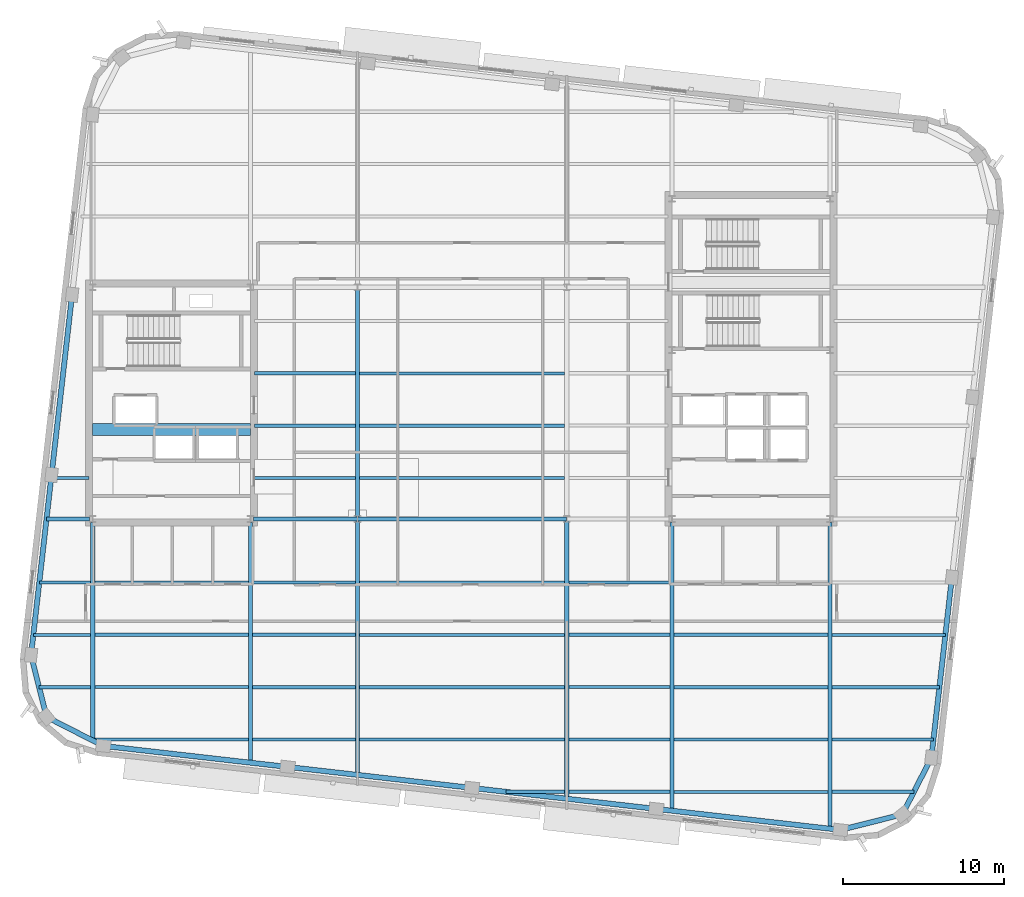
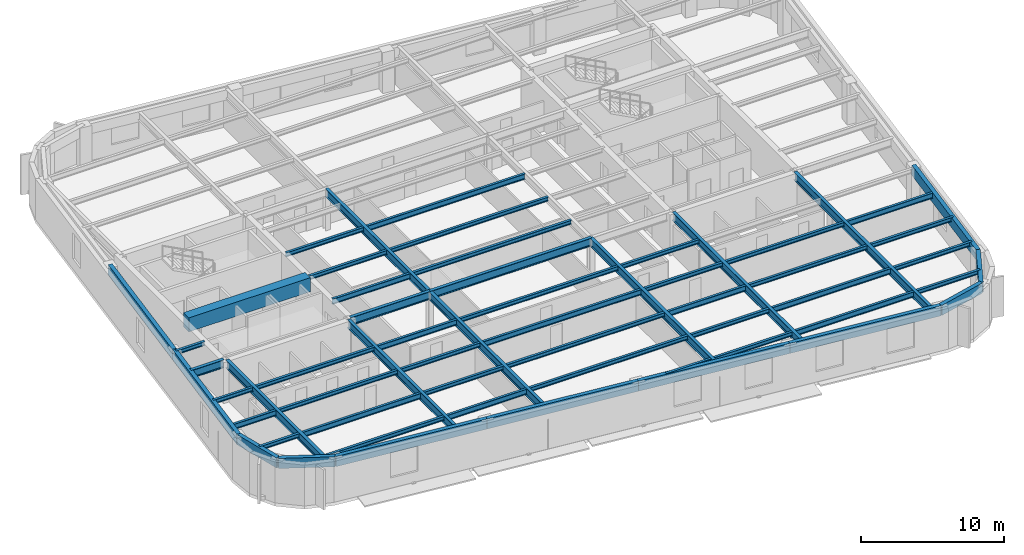
# One storey, part 3 of 14: 58 beams.
"""IFC4 building model written with IfcOpenShell, lengths in metres."""

from ifc_helpers import new_model, si_unit, direction, frame, origin, origin_2d, place, context, subcontext, project, spatial, rectangle, hollow_rectangle, i_section, extrude, material, material_profile, profile_set, type_object, element, save


model = new_model("IFC4")

# Units and contexts
model_context = context("Model", 3, precision=1e-05, world=origin(), true_north=direction((0.0, 1.0)))
body_context = subcontext(model_context, "Body", "Model", "MODEL_VIEW")
ifc_project = project(units=[si_unit("LENGTHUNIT", "METRE"), si_unit("AREAUNIT", "SQUARE_METRE"), si_unit("VOLUMEUNIT", "CUBIC_METRE"), si_unit("PLANEANGLEUNIT", "RADIAN"), si_unit("MASSUNIT", "GRAM", prefix="KILO")], contexts=[model_context])

# Site, building, storey
site_placement = place(None, origin())
site = spatial("IfcSite", under=ifc_project, at=site_placement, CompositionType="ELEMENT")
building_placement = place(site_placement, origin())
building = spatial("IfcBuilding", under=site, at=building_placement, Name="Kolvaren Arena Tower", CompositionType="ELEMENT")
storey_placement = place(building_placement, frame((0.0, 0.0, 247.199951171875)))
storey = spatial("IfcBuildingStorey", under=building, at=storey_placement, Name="L60", CompositionType="ELEMENT", Elevation=247.199951171875)

# Beams
ifc_material_1 = material(Name="Steel CSA G40.21 350W", Category="steel")
ifc_material_profile_1 = material_profile(ifc_material_1, i_section(OverallWidth=0.193115234375, OverallDepth=0.462890625, WebThickness=0.0107421875, FlangeThickness=0.0205078125, FilletRadius=0.012939453125, at=origin_2d()), Name="W460x113")
ifc_profile_set_1 = profile_set([ifc_material_profile_1], Name="Steel CSA G40.21 350W")
beam_type_1 = type_object("IfcBeamType", Name="BEAM-F2", PredefinedType="BEAM", material=ifc_profile_set_1)
beam_1_placement = place(storey_placement, frame((50.677490234375, 2.5, 3.24853515625), z_axis=(1.0, 0.0, 0.0), x_axis=(0.0, 1.0, 0.0)))
element("IfcBeam", 1, at=beam_1_placement, inside=storey, type_object=beam_type_1, Name="Composite Floor Beam (L60)", PredefinedType="BEAM", context=body_context, shape_type="SweptSolid", body=[
    extrude(i_section(OverallWidth=0.193115234375, OverallDepth=0.462890625, WebThickness=0.0107421875, FlangeThickness=0.0205078125, FilletRadius=0.012939453125, at=origin_2d()), origin(), (0.0, 0.0, 1.0), 9.544921875),
])
beam_2_placement = place(storey_placement, frame((24.4775390625, 5.75, 3.24853515625), z_axis=(1.0, 0.0, 0.0), x_axis=(0.0, 1.0, 0.0)))
element("IfcBeam", 2, at=beam_2_placement, inside=storey, type_object=beam_type_1, Name="Composite Floor Beam (L60)", PredefinedType="BEAM", context=body_context, shape_type="SweptSolid", body=[
    extrude(i_section(OverallWidth=0.193115234375, OverallDepth=0.462890625, WebThickness=0.0107421875, FlangeThickness=0.0205078125, FilletRadius=0.012939453125, at=origin_2d()), origin(), (0.0, 0.0, 1.0), 6.39501953125),
])
for number, where, z_axis, x_axis, name in (
    (3, (50.677490234375, 5.75, 3.24853515625), (1.0, 0.0, 0.0), (0.0, 1.0, 0.0), "Composite Floor Beam (L60)"),
    (4, (14.677490234375, 9.0, 3.24853515625), (1.0, 0.0, 0.0), (0.0, 1.0, 0.0), "Composite Floor Beam (L60)"),
):
    element("IfcBeam", number, at=place(storey_placement, frame(where, z_axis=z_axis, x_axis=x_axis)), inside=storey, type_object=beam_type_1, Name=name, PredefinedType="BEAM", context=body_context, shape_type="SweptSolid", body=[
        extrude(i_section(OverallWidth=0.193115234375, OverallDepth=0.462890625, WebThickness=0.0107421875, FlangeThickness=0.0205078125, FilletRadius=0.012939453125, at=origin_2d()), origin(), (0.0, 0.0, 1.0), 9.544921875),
    ])
beam_3_placement = place(storey_placement, frame((44.12744140625, 9.0, 3.24853515625), z_axis=(1.0, 0.0, 0.0), x_axis=(0.0, 1.0, 0.0)))
element("IfcBeam", 5, at=beam_3_placement, inside=storey, type_object=beam_type_1, Name="Composite Floor Beam (L60)", PredefinedType="BEAM", context=body_context, shape_type="SweptSolid", body=[
    extrude(i_section(OverallWidth=0.193115234375, OverallDepth=0.462890625, WebThickness=0.0107421875, FlangeThickness=0.0205078125, FilletRadius=0.012939453125, at=origin_2d()), origin(), (0.0, 0.0, 1.0), 6.295166015625),
])
beam_4_placement = place(storey_placement, frame((10.86083984375, 12.25, 3.24853515625), z_axis=(1.0, 0.0, 0.0), x_axis=(0.0, 1.0, 0.0)))
element("IfcBeam", 6, at=beam_4_placement, inside=storey, type_object=beam_type_1, Name="Composite Floor Beam (L60)", PredefinedType="BEAM", context=body_context, shape_type="SweptSolid", body=[
    extrude(i_section(OverallWidth=0.193115234375, OverallDepth=0.462890625, WebThickness=0.0107421875, FlangeThickness=0.0205078125, FilletRadius=0.012939453125, at=origin_2d()), origin(), (0.0, 0.0, 1.0), 3.561767578125),
])
beam_5_placement = place(storey_placement, frame((31.12744140625, 12.25, 3.24853515625), z_axis=(1.0, 0.0, 0.0), x_axis=(0.0, 1.0, 0.0)))
element("IfcBeam", 7, at=beam_5_placement, inside=storey, type_object=beam_type_1, Name="Composite Floor Beam (L60)", PredefinedType="BEAM", context=body_context, shape_type="SweptSolid", body=[
    extrude(i_section(OverallWidth=0.193115234375, OverallDepth=0.462890625, WebThickness=0.0107421875, FlangeThickness=0.0205078125, FilletRadius=0.012939453125, at=origin_2d()), origin(), (0.0, 0.0, 1.0), 12.7451171875),
])
beam_6_placement = place(storey_placement, frame((60.4775390625, 12.25, 3.24853515625), z_axis=(1.0, 0.0, 0.0), x_axis=(0.0, 1.0, 0.0)))
element("IfcBeam", 8, at=beam_6_placement, inside=storey, type_object=beam_type_1, Name="Composite Floor Beam (L60)", PredefinedType="BEAM", context=body_context, shape_type="SweptSolid", body=[
    extrude(i_section(OverallWidth=0.193115234375, OverallDepth=0.462890625, WebThickness=0.0107421875, FlangeThickness=0.0205078125, FilletRadius=0.012939453125, at=origin_2d()), origin(), (0.0, 0.0, 1.0), 7.04736328125),
])
beam_7_placement = place(storey_placement, frame((24.4775390625, 15.5, 3.24853515625), z_axis=(1.0, 0.0, 0.0), x_axis=(0.0, 1.0, 0.0)))
element("IfcBeam", 9, at=beam_7_placement, inside=storey, type_object=beam_type_1, Name="Composite Floor Beam (L60)", PredefinedType="BEAM", context=body_context, shape_type="SweptSolid", body=[
    extrude(i_section(OverallWidth=0.193115234375, OverallDepth=0.462890625, WebThickness=0.0107421875, FlangeThickness=0.0205078125, FilletRadius=0.012939453125, at=origin_2d()), origin(), (0.0, 0.0, 1.0), 6.39501953125),
])
beam_8_placement = place(storey_placement, frame((24.594970703125, 22.0, 3.24853515625), z_axis=(1.0, 0.0, 0.0), x_axis=(0.0, 1.0, 0.0)))
element("IfcBeam", 10, at=beam_8_placement, inside=storey, type_object=beam_type_1, Name="Composite Floor Beam (L60)", PredefinedType="BEAM", context=body_context, shape_type="SweptSolid", body=[
    extrude(i_section(OverallWidth=0.193115234375, OverallDepth=0.462890625, WebThickness=0.0107421875, FlangeThickness=0.0205078125, FilletRadius=0.012939453125, at=origin_2d()), origin(), (0.0, 0.0, 1.0), 6.277587890625),
])
beam_9_placement = place(storey_placement, frame((31.12744140625, 28.5, 3.24853515625), z_axis=(1.0, 0.0, 0.0), x_axis=(0.0, 1.0, 0.0)))
element("IfcBeam", 11, at=beam_9_placement, inside=storey, type_object=beam_type_1, Name="Composite Floor Beam (L60)", PredefinedType="BEAM", context=body_context, shape_type="SweptSolid", body=[
    extrude(i_section(OverallWidth=0.193115234375, OverallDepth=0.462890625, WebThickness=0.0107421875, FlangeThickness=0.0205078125, FilletRadius=0.012939453125, at=origin_2d()), origin(), (0.0, 0.0, 1.0), 12.7451171875),
])
ifc_material_2 = material(Name="Concrete 60 MPa", Category="concrete")
ifc_material_profile_2 = material_profile(ifc_material_2, rectangle(XDim=0.75, YDim=1.199951171875, at=origin_2d()), Name="RC-750x1200")
ifc_profile_set_2 = profile_set([ifc_material_profile_2], Name="Concrete 60 MPa")
beam_type_2 = type_object("IfcBeamType", Name="CB-CORE-2", PredefinedType="BEAM", material=ifc_profile_set_2)
beam_10_placement = place(storey_placement, frame((14.550048828125, 25.0, 3.150146484375), z_axis=(1.0, 0.0, 0.0), x_axis=(0.0, 1.0, 0.0)))
element("IfcBeam", 12, at=beam_10_placement, inside=storey, type_object=beam_type_2, Name="West Core Coupling Beam (L60)", PredefinedType="BEAM", context=body_context, shape_type="SweptSolid", body=[
    extrude(rectangle(XDim=0.75, YDim=1.199951171875, at=origin_2d()), origin(), (0.0, 0.0, 1.0), 9.800048828125),
])
ifc_material_profile_3 = material_profile(ifc_material_1, i_section(OverallWidth=0.2548828125, OverallDepth=0.695068359375, WebThickness=0.01708984375, FlangeThickness=0.02978515625, FilletRadius=0.01611328125, at=origin_2d()), Name="W690x217")
ifc_profile_set_3 = profile_set([ifc_material_profile_3], Name="Steel CSA G40.21 350W")
beam_type_3 = type_object("IfcBeamType", Name="GIRD-T2", PredefinedType="BEAM", material=ifc_profile_set_3)
beam_11_placement = place(storey_placement, frame((11.68115234375, 19.449951171875, 3.132568359375), z_axis=(1.0, 0.0, 0.0), x_axis=(0.0, 1.0, 0.0)))
element("IfcBeam", 13, at=beam_11_placement, inside=storey, type_object=beam_type_3, Name="Primary Floor Girder (L60)", PredefinedType="BEAM", context=body_context, shape_type="SweptSolid", body=[
    extrude(i_section(OverallWidth=0.2548828125, OverallDepth=0.695068359375, WebThickness=0.01708984375, FlangeThickness=0.02978515625, FilletRadius=0.01611328125, at=origin_2d()), origin(), (0.0, 0.0, 1.0), 2.663818359375),
])
beam_12_placement = place(storey_placement, frame((24.554931640625, 19.449951171875, 3.132568359375), z_axis=(1.0, 0.0, 0.0), x_axis=(0.0, 1.0, 0.0)))
element("IfcBeam", 14, at=beam_12_placement, inside=storey, type_object=beam_type_3, Name="Primary Floor Girder (L60)", PredefinedType="BEAM", context=body_context, shape_type="SweptSolid", body=[
    extrude(i_section(OverallWidth=0.2548828125, OverallDepth=0.695068359375, WebThickness=0.01708984375, FlangeThickness=0.02978515625, FilletRadius=0.01611328125, at=origin_2d()), origin(), (0.0, 0.0, 1.0), 6.445068359375),
])
beam_13_placement = place(storey_placement, frame((31.0, 19.449951171875, 3.132568359375), z_axis=(1.0, 0.0, 0.0), x_axis=(0.0, 1.0, 0.0)))
element("IfcBeam", 15, at=beam_13_placement, inside=storey, type_object=beam_type_3, Name="Primary Floor Girder (L60)", PredefinedType="BEAM", context=body_context, shape_type="SweptSolid", body=[
    extrude(i_section(OverallWidth=0.2548828125, OverallDepth=0.695068359375, WebThickness=0.01708984375, FlangeThickness=0.02978515625, FilletRadius=0.01611328125, at=origin_2d()), origin(), (0.0, 0.0, 1.0), 13.0),
])
beam_14_placement = place(storey_placement, frame((14.550048828125, 5.686767578125, 3.132568359375), z_axis=(0.0, 1.0, 0.0), x_axis=(-1.0, 0.0, 0.0)))
element("IfcBeam", 16, at=beam_14_placement, inside=storey, type_object=beam_type_3, Name="Primary Floor Girder (L60)", PredefinedType="BEAM", context=body_context, shape_type="SweptSolid", body=[
    extrude(i_section(OverallWidth=0.2548828125, OverallDepth=0.695068359375, WebThickness=0.01708984375, FlangeThickness=0.02978515625, FilletRadius=0.01611328125, at=origin_2d()), origin(), (0.0, 0.0, 1.0), 13.558349609375),
])
beam_15_placement = place(storey_placement, frame((24.35009765625, 4.30908203125, 3.132568359375), z_axis=(0.0, 1.0, 0.0), x_axis=(-1.0, 0.0, 0.0)))
element("IfcBeam", 17, at=beam_15_placement, inside=storey, type_object=beam_type_3, Name="Primary Floor Girder (L60)", PredefinedType="BEAM", context=body_context, shape_type="SweptSolid", body=[
    extrude(i_section(OverallWidth=0.2548828125, OverallDepth=0.695068359375, WebThickness=0.01708984375, FlangeThickness=0.02978515625, FilletRadius=0.01611328125, at=origin_2d()), origin(), (0.0, 0.0, 1.0), 14.93603515625),
])
beam_16_placement = place(storey_placement, frame((31.0, 3.551513671875, 3.132568359375), z_axis=(0.0, 1.0, 0.0), x_axis=(-1.0, 0.0, 0.0)))
element("IfcBeam", 18, at=beam_16_placement, inside=storey, type_object=beam_type_3, Name="Primary Floor Girder (L60)", PredefinedType="BEAM", context=body_context, shape_type="SweptSolid", body=[
    extrude(i_section(OverallWidth=0.2548828125, OverallDepth=0.695068359375, WebThickness=0.01708984375, FlangeThickness=0.02978515625, FilletRadius=0.01611328125, at=origin_2d()), origin(), (0.0, 0.0, 1.0), 15.8984375),
])
beam_17_placement = place(storey_placement, frame((31.0, 19.449951171875, 3.132568359375), z_axis=(0.0, 1.0, 0.0), x_axis=(-1.0, 0.0, 0.0)))
element("IfcBeam", 19, at=beam_17_placement, inside=storey, type_object=beam_type_3, Name="Primary Floor Girder (L60)", PredefinedType="BEAM", context=body_context, shape_type="SweptSolid", body=[
    extrude(i_section(OverallWidth=0.2548828125, OverallDepth=0.695068359375, WebThickness=0.01708984375, FlangeThickness=0.02978515625, FilletRadius=0.01611328125, at=origin_2d()), origin(), (0.0, 0.0, 1.0), 14.400146484375),
])
beam_18_placement = place(storey_placement, frame((44.0, 2.0703125, 3.132568359375), z_axis=(0.0, 1.0, 0.0), x_axis=(-1.0, 0.0, 0.0)))
element("IfcBeam", 20, at=beam_18_placement, inside=storey, type_object=beam_type_3, Name="Primary Floor Girder (L60)", PredefinedType="BEAM", context=body_context, shape_type="SweptSolid", body=[
    extrude(i_section(OverallWidth=0.2548828125, OverallDepth=0.695068359375, WebThickness=0.01708984375, FlangeThickness=0.02978515625, FilletRadius=0.01611328125, at=origin_2d()), origin(), (0.0, 0.0, 1.0), 17.379638671875),
])
beam_19_placement = place(storey_placement, frame((50.550048828125, 1.323974609375, 3.132568359375), z_axis=(0.0, 1.0, 0.0), x_axis=(-1.0, 0.0, 0.0)))
element("IfcBeam", 21, at=beam_19_placement, inside=storey, type_object=beam_type_3, Name="Primary Floor Girder (L60)", PredefinedType="BEAM", context=body_context, shape_type="SweptSolid", body=[
    extrude(i_section(OverallWidth=0.2548828125, OverallDepth=0.695068359375, WebThickness=0.01708984375, FlangeThickness=0.02978515625, FilletRadius=0.01611328125, at=origin_2d()), origin(), (0.0, 0.0, 1.0), 17.921142578125),
])
beam_20_placement = place(storey_placement, frame((60.35009765625, 0.20751953125, 3.132568359375), z_axis=(0.0, 1.0, 0.0), x_axis=(-1.0, 0.0, 0.0)))
element("IfcBeam", 22, at=beam_20_placement, inside=storey, type_object=beam_type_3, Name="Primary Floor Girder (L60)", PredefinedType="BEAM", context=body_context, shape_type="SweptSolid", body=[
    extrude(i_section(OverallWidth=0.2548828125, OverallDepth=0.695068359375, WebThickness=0.01708984375, FlangeThickness=0.02978515625, FilletRadius=0.01611328125, at=origin_2d()), origin(), (0.0, 0.0, 1.0), 19.03759765625),
])
ifc_material_profile_4 = material_profile(ifc_material_1, i_section(OverallWidth=0.202880859375, OverallDepth=0.346923828125, WebThickness=0.0078125, FlangeThickness=0.013427734375, FilletRadius=0.010986328125, at=origin_2d()), Name="W360x64")
ifc_profile_set_4 = profile_set([ifc_material_profile_4], Name="Steel CSA G40.21 350W")
beam_type_4 = type_object("IfcBeamType", Name="JOIST-01", PredefinedType="JOIST", material=ifc_profile_set_4)
beam_21_placement = place(storey_placement, frame((40.228271484375, 2.5, 3.306640625), z_axis=(1.0, 0.0, 0.0), x_axis=(0.0, 1.0, 0.0)))
element("IfcBeam", 23, at=beam_21_placement, inside=storey, type_object=beam_type_4, Name="Composite Floor Joist (L60)", PredefinedType="JOIST", context=body_context, shape_type="SweptSolid", body=[
    extrude(i_section(OverallWidth=0.202880859375, OverallDepth=0.346923828125, WebThickness=0.0078125, FlangeThickness=0.013427734375, FilletRadius=0.010986328125, at=origin_2d()), origin(), (0.0, 0.0, 1.0), 3.644287109375),
])
beam_22_placement = place(storey_placement, frame((44.12744140625, 2.5, 3.306640625), z_axis=(1.0, 0.0, 0.0), x_axis=(0.0, 1.0, 0.0)))
element("IfcBeam", 24, at=beam_22_placement, inside=storey, type_object=beam_type_4, Name="Composite Floor Joist (L60)", PredefinedType="JOIST", context=body_context, shape_type="SweptSolid", body=[
    extrude(i_section(OverallWidth=0.202880859375, OverallDepth=0.346923828125, WebThickness=0.0078125, FlangeThickness=0.013427734375, FilletRadius=0.010986328125, at=origin_2d()), origin(), (0.0, 0.0, 1.0), 6.295166015625),
])
beam_23_placement = place(storey_placement, frame((60.4775390625, 2.5, 3.306640625), z_axis=(1.0, 0.0, 0.0), x_axis=(0.0, 1.0, 0.0)))
element("IfcBeam", 25, at=beam_23_placement, inside=storey, type_object=beam_type_4, Name="Composite Floor Joist (L60)", PredefinedType="JOIST", context=body_context, shape_type="SweptSolid", body=[
    extrude(i_section(OverallWidth=0.202880859375, OverallDepth=0.346923828125, WebThickness=0.0078125, FlangeThickness=0.013427734375, FilletRadius=0.010986328125, at=origin_2d()), origin(), (0.0, 0.0, 1.0), 5.09423828125),
])
beam_24_placement = place(storey_placement, frame((14.42626953125, 5.75, 3.306640625), z_axis=(1.0, 0.0, 0.0), x_axis=(0.0, 1.0, 0.0)))
element("IfcBeam", 26, at=beam_24_placement, inside=storey, type_object=beam_type_4, Name="Composite Floor Joist (L60)", PredefinedType="JOIST", context=body_context, shape_type="SweptSolid", body=[
    extrude(i_section(OverallWidth=0.202880859375, OverallDepth=0.346923828125, WebThickness=0.0078125, FlangeThickness=0.013427734375, FilletRadius=0.010986328125, at=origin_2d()), origin(), (0.0, 0.0, 1.0), 9.796142578125),
])
beam_25_placement = place(storey_placement, frame((31.12744140625, 5.75, 3.306640625), z_axis=(1.0, 0.0, 0.0), x_axis=(0.0, 1.0, 0.0)))
element("IfcBeam", 27, at=beam_25_placement, inside=storey, type_object=beam_type_4, Name="Composite Floor Joist (L60)", PredefinedType="JOIST", context=body_context, shape_type="SweptSolid", body=[
    extrude(i_section(OverallWidth=0.202880859375, OverallDepth=0.346923828125, WebThickness=0.0078125, FlangeThickness=0.013427734375, FilletRadius=0.010986328125, at=origin_2d()), origin(), (0.0, 0.0, 1.0), 12.7451171875),
])
beam_26_placement = place(storey_placement, frame((44.12744140625, 5.75, 3.306640625), z_axis=(1.0, 0.0, 0.0), x_axis=(0.0, 1.0, 0.0)))
element("IfcBeam", 28, at=beam_26_placement, inside=storey, type_object=beam_type_4, Name="Composite Floor Joist (L60)", PredefinedType="JOIST", context=body_context, shape_type="SweptSolid", body=[
    extrude(i_section(OverallWidth=0.202880859375, OverallDepth=0.346923828125, WebThickness=0.0078125, FlangeThickness=0.013427734375, FilletRadius=0.010986328125, at=origin_2d()), origin(), (0.0, 0.0, 1.0), 6.295166015625),
])
beam_27_placement = place(storey_placement, frame((60.4775390625, 5.75, 3.306640625), z_axis=(1.0, 0.0, 0.0), x_axis=(0.0, 1.0, 0.0)))
element("IfcBeam", 29, at=beam_27_placement, inside=storey, type_object=beam_type_4, Name="Composite Floor Joist (L60)", PredefinedType="JOIST", context=body_context, shape_type="SweptSolid", body=[
    extrude(i_section(OverallWidth=0.202880859375, OverallDepth=0.346923828125, WebThickness=0.0078125, FlangeThickness=0.013427734375, FilletRadius=0.010986328125, at=origin_2d()), origin(), (0.0, 0.0, 1.0), 6.306884765625),
])
beam_28_placement = place(storey_placement, frame((11.217529296875, 9.0, 3.306640625), z_axis=(1.0, 0.0, 0.0), x_axis=(0.0, 1.0, 0.0)))
element("IfcBeam", 30, at=beam_28_placement, inside=storey, type_object=beam_type_4, Name="Composite Floor Joist (L60)", PredefinedType="JOIST", context=body_context, shape_type="SweptSolid", body=[
    extrude(i_section(OverallWidth=0.202880859375, OverallDepth=0.346923828125, WebThickness=0.0078125, FlangeThickness=0.013427734375, FilletRadius=0.010986328125, at=origin_2d()), origin(), (0.0, 0.0, 1.0), 3.205078125),
])
beam_29_placement = place(storey_placement, frame((24.4775390625, 9.0, 3.306640625), z_axis=(1.0, 0.0, 0.0), x_axis=(0.0, 1.0, 0.0)))
element("IfcBeam", 31, at=beam_29_placement, inside=storey, type_object=beam_type_4, Name="Composite Floor Joist (L60)", PredefinedType="JOIST", context=body_context, shape_type="SweptSolid", body=[
    extrude(i_section(OverallWidth=0.202880859375, OverallDepth=0.346923828125, WebThickness=0.0078125, FlangeThickness=0.013427734375, FilletRadius=0.010986328125, at=origin_2d()), origin(), (0.0, 0.0, 1.0), 6.39501953125),
])
beam_30_placement = place(storey_placement, frame((31.12744140625, 9.0, 3.306640625), z_axis=(1.0, 0.0, 0.0), x_axis=(0.0, 1.0, 0.0)))
element("IfcBeam", 32, at=beam_30_placement, inside=storey, type_object=beam_type_4, Name="Composite Floor Joist (L60)", PredefinedType="JOIST", context=body_context, shape_type="SweptSolid", body=[
    extrude(i_section(OverallWidth=0.202880859375, OverallDepth=0.346923828125, WebThickness=0.0078125, FlangeThickness=0.013427734375, FilletRadius=0.010986328125, at=origin_2d()), origin(), (0.0, 0.0, 1.0), 12.7451171875),
])
beam_31_placement = place(storey_placement, frame((50.677490234375, 9.0, 3.306640625), z_axis=(1.0, 0.0, 0.0), x_axis=(0.0, 1.0, 0.0)))
element("IfcBeam", 33, at=beam_31_placement, inside=storey, type_object=beam_type_4, Name="Composite Floor Joist (L60)", PredefinedType="JOIST", context=body_context, shape_type="SweptSolid", body=[
    extrude(i_section(OverallWidth=0.202880859375, OverallDepth=0.346923828125, WebThickness=0.0078125, FlangeThickness=0.013427734375, FilletRadius=0.010986328125, at=origin_2d()), origin(), (0.0, 0.0, 1.0), 9.544921875),
])
beam_32_placement = place(storey_placement, frame((60.4775390625, 9.0, 3.306640625), z_axis=(1.0, 0.0, 0.0), x_axis=(0.0, 1.0, 0.0)))
element("IfcBeam", 34, at=beam_32_placement, inside=storey, type_object=beam_type_4, Name="Composite Floor Joist (L60)", PredefinedType="JOIST", context=body_context, shape_type="SweptSolid", body=[
    extrude(i_section(OverallWidth=0.202880859375, OverallDepth=0.346923828125, WebThickness=0.0078125, FlangeThickness=0.013427734375, FilletRadius=0.010986328125, at=origin_2d()), origin(), (0.0, 0.0, 1.0), 6.67724609375),
])
beam_33_placement = place(storey_placement, frame((14.677490234375, 12.25, 3.306640625), z_axis=(1.0, 0.0, 0.0), x_axis=(0.0, 1.0, 0.0)))
element("IfcBeam", 35, at=beam_33_placement, inside=storey, type_object=beam_type_4, Name="Composite Floor Joist (L60)", PredefinedType="JOIST", context=body_context, shape_type="SweptSolid", body=[
    extrude(i_section(OverallWidth=0.202880859375, OverallDepth=0.346923828125, WebThickness=0.0078125, FlangeThickness=0.013427734375, FilletRadius=0.010986328125, at=origin_2d()), origin(), (0.0, 0.0, 1.0), 9.544921875),
])
beam_34_placement = place(storey_placement, frame((24.4775390625, 12.25, 3.306640625), z_axis=(1.0, 0.0, 0.0), x_axis=(0.0, 1.0, 0.0)))
element("IfcBeam", 36, at=beam_34_placement, inside=storey, type_object=beam_type_4, Name="Composite Floor Joist (L60)", PredefinedType="JOIST", context=body_context, shape_type="SweptSolid", body=[
    extrude(i_section(OverallWidth=0.202880859375, OverallDepth=0.346923828125, WebThickness=0.0078125, FlangeThickness=0.013427734375, FilletRadius=0.010986328125, at=origin_2d()), origin(), (0.0, 0.0, 1.0), 6.39501953125),
])
beam_35_placement = place(storey_placement, frame((44.12744140625, 12.25, 3.306640625), z_axis=(1.0, 0.0, 0.0), x_axis=(0.0, 1.0, 0.0)))
element("IfcBeam", 37, at=beam_35_placement, inside=storey, type_object=beam_type_4, Name="Composite Floor Joist (L60)", PredefinedType="JOIST", context=body_context, shape_type="SweptSolid", body=[
    extrude(i_section(OverallWidth=0.202880859375, OverallDepth=0.346923828125, WebThickness=0.0078125, FlangeThickness=0.013427734375, FilletRadius=0.010986328125, at=origin_2d()), origin(), (0.0, 0.0, 1.0), 6.295166015625),
])
beam_36_placement = place(storey_placement, frame((50.677490234375, 12.25, 3.306640625), z_axis=(1.0, 0.0, 0.0), x_axis=(0.0, 1.0, 0.0)))
element("IfcBeam", 38, at=beam_36_placement, inside=storey, type_object=beam_type_4, Name="Composite Floor Joist (L60)", PredefinedType="JOIST", context=body_context, shape_type="SweptSolid", body=[
    extrude(i_section(OverallWidth=0.202880859375, OverallDepth=0.346923828125, WebThickness=0.0078125, FlangeThickness=0.013427734375, FilletRadius=0.010986328125, at=origin_2d()), origin(), (0.0, 0.0, 1.0), 9.544921875),
])
beam_37_placement = place(storey_placement, frame((11.23095703125, 15.5, 3.306640625), z_axis=(1.0, 0.0, 0.0), x_axis=(0.0, 1.0, 0.0)))
element("IfcBeam", 39, at=beam_37_placement, inside=storey, type_object=beam_type_4, Name="Composite Floor Joist (L60)", PredefinedType="JOIST", context=body_context, shape_type="SweptSolid", body=[
    extrude(i_section(OverallWidth=0.202880859375, OverallDepth=0.346923828125, WebThickness=0.0078125, FlangeThickness=0.013427734375, FilletRadius=0.010986328125, at=origin_2d()), origin(), (0.0, 0.0, 1.0), 3.191650390625),
])
beam_38_placement = place(storey_placement, frame((14.677490234375, 15.5, 3.306640625), z_axis=(1.0, 0.0, 0.0), x_axis=(0.0, 1.0, 0.0)))
element("IfcBeam", 40, at=beam_38_placement, inside=storey, type_object=beam_type_4, Name="Composite Floor Joist (L60)", PredefinedType="JOIST", context=body_context, shape_type="SweptSolid", body=[
    extrude(i_section(OverallWidth=0.202880859375, OverallDepth=0.346923828125, WebThickness=0.0078125, FlangeThickness=0.013427734375, FilletRadius=0.010986328125, at=origin_2d()), origin(), (0.0, 0.0, 1.0), 9.544921875),
])
beam_39_placement = place(storey_placement, frame((31.12744140625, 15.5, 3.306640625), z_axis=(1.0, 0.0, 0.0), x_axis=(0.0, 1.0, 0.0)))
element("IfcBeam", 41, at=beam_39_placement, inside=storey, type_object=beam_type_4, Name="Composite Floor Joist (L60)", PredefinedType="JOIST", context=body_context, shape_type="SweptSolid", body=[
    extrude(i_section(OverallWidth=0.202880859375, OverallDepth=0.346923828125, WebThickness=0.0078125, FlangeThickness=0.013427734375, FilletRadius=0.010986328125, at=origin_2d()), origin(), (0.0, 0.0, 1.0), 12.7451171875),
])
beam_40_placement = place(storey_placement, frame((44.12744140625, 15.5, 3.306640625), z_axis=(1.0, 0.0, 0.0), x_axis=(0.0, 1.0, 0.0)))
element("IfcBeam", 42, at=beam_40_placement, inside=storey, type_object=beam_type_4, Name="Composite Floor Joist (L60)", PredefinedType="JOIST", context=body_context, shape_type="SweptSolid", body=[
    extrude(i_section(OverallWidth=0.202880859375, OverallDepth=0.346923828125, WebThickness=0.0078125, FlangeThickness=0.013427734375, FilletRadius=0.010986328125, at=origin_2d()), origin(), (0.0, 0.0, 1.0), 6.295166015625),
])
beam_41_placement = place(storey_placement, frame((11.9716796875, 22.0, 3.306640625), z_axis=(1.0, 0.0, 0.0), x_axis=(0.0, 1.0, 0.0)))
element("IfcBeam", 43, at=beam_41_placement, inside=storey, type_object=beam_type_4, Name="Composite Floor Joist (L60)", PredefinedType="JOIST", context=body_context, shape_type="SweptSolid", body=[
    extrude(i_section(OverallWidth=0.202880859375, OverallDepth=0.346923828125, WebThickness=0.0078125, FlangeThickness=0.013427734375, FilletRadius=0.010986328125, at=origin_2d()), origin(), (0.0, 0.0, 1.0), 2.333251953125),
])
beam_42_placement = place(storey_placement, frame((31.12744140625, 22.0, 3.306640625), z_axis=(1.0, 0.0, 0.0), x_axis=(0.0, 1.0, 0.0)))
element("IfcBeam", 44, at=beam_42_placement, inside=storey, type_object=beam_type_4, Name="Composite Floor Joist (L60)", PredefinedType="JOIST", context=body_context, shape_type="SweptSolid", body=[
    extrude(i_section(OverallWidth=0.202880859375, OverallDepth=0.346923828125, WebThickness=0.0078125, FlangeThickness=0.013427734375, FilletRadius=0.010986328125, at=origin_2d()), origin(), (0.0, 0.0, 1.0), 12.7451171875),
])
beam_43_placement = place(storey_placement, frame((24.594970703125, 25.25, 3.306640625), z_axis=(1.0, 0.0, 0.0), x_axis=(0.0, 1.0, 0.0)))
element("IfcBeam", 45, at=beam_43_placement, inside=storey, type_object=beam_type_4, Name="Composite Floor Joist (L60)", PredefinedType="JOIST", context=body_context, shape_type="SweptSolid", body=[
    extrude(i_section(OverallWidth=0.202880859375, OverallDepth=0.346923828125, WebThickness=0.0078125, FlangeThickness=0.013427734375, FilletRadius=0.010986328125, at=origin_2d()), origin(), (0.0, 0.0, 1.0), 6.277587890625),
])
beam_44_placement = place(storey_placement, frame((31.12744140625, 25.25, 3.306640625), z_axis=(1.0, 0.0, 0.0), x_axis=(0.0, 1.0, 0.0)))
element("IfcBeam", 46, at=beam_44_placement, inside=storey, type_object=beam_type_4, Name="Composite Floor Joist (L60)", PredefinedType="JOIST", context=body_context, shape_type="SweptSolid", body=[
    extrude(i_section(OverallWidth=0.202880859375, OverallDepth=0.346923828125, WebThickness=0.0078125, FlangeThickness=0.013427734375, FilletRadius=0.010986328125, at=origin_2d()), origin(), (0.0, 0.0, 1.0), 12.7451171875),
])
beam_45_placement = place(storey_placement, frame((24.594970703125, 28.5, 3.306640625), z_axis=(1.0, 0.0, 0.0), x_axis=(0.0, 1.0, 0.0)))
element("IfcBeam", 47, at=beam_45_placement, inside=storey, type_object=beam_type_4, Name="Composite Floor Joist (L60)", PredefinedType="JOIST", context=body_context, shape_type="SweptSolid", body=[
    extrude(i_section(OverallWidth=0.202880859375, OverallDepth=0.346923828125, WebThickness=0.0078125, FlangeThickness=0.013427734375, FilletRadius=0.010986328125, at=origin_2d()), origin(), (0.0, 0.0, 1.0), 6.277587890625),
])
ifc_material_3 = material(Name="Steel CSA G40.21 350WT", Category="steel")
ifc_material_profile_5 = material_profile(ifc_material_3, hollow_rectangle(XDim=0.320068359375, YDim=0.860107421875, WallThickness=0.01806640625, at=origin_2d()), Name="HSS 860x320x18")
ifc_profile_set_5 = profile_set([ifc_material_profile_5], Name="Steel CSA G40.21 350WT")
beam_type_5 = type_object("IfcBeamType", Name="SPAND-02", PredefinedType="SPANDREL", material=ifc_profile_set_5)
for number, where, z_axis, x_axis, name in (
    (48, (15.207763671875, 5.350830078125, 3.050048828125), (0.99357166944, -0.113204848336, 0.0), (0.113204848336, 0.99357166944, 0.0), "Perimeter Spandrel Beam (L60)"),
    (49, (26.65869140625, 4.046142578125, 3.050048828125), (0.99357166944, -0.113204848336, 0.0), (0.113204848336, 0.99357166944, 0.0), "Perimeter Spandrel Beam (L60)"),
):
    element("IfcBeam", number, at=place(storey_placement, frame(where, z_axis=z_axis, x_axis=x_axis)), inside=storey, type_object=beam_type_5, Name=name, PredefinedType="SPANDREL", context=body_context, shape_type="SweptSolid", body=[
        extrude(hollow_rectangle(XDim=0.320068359375, YDim=0.860107421875, WallThickness=0.01806640625, at=origin_2d()), origin(), (0.0, 0.0, 1.0), 11.52490234375),
    ])
beam_46_placement = place(storey_placement, frame((38.109619140625, 2.741455078125, 3.050048828125), z_axis=(0.993571397957, -0.113207231049, 0.0), x_axis=(0.113207231049, 0.993571397957, 0.0)))
element("IfcBeam", 50, at=beam_46_placement, inside=storey, type_object=beam_type_5, Name="Perimeter Spandrel Beam (L60)", PredefinedType="SPANDREL", context=body_context, shape_type="SweptSolid", body=[
    extrude(hollow_rectangle(XDim=0.320068359375, YDim=0.860107421875, WallThickness=0.01806640625, at=origin_2d()), origin(), (0.0, 0.0, 1.0), 11.524658203125),
])
beam_47_placement = place(storey_placement, frame((49.560302734375, 1.436767578125, 3.050048828125), z_axis=(0.993571940905, -0.113202465721, 0.0), x_axis=(0.113202465721, 0.993571940905, 0.0)))
element("IfcBeam", 51, at=beam_47_placement, inside=storey, type_object=beam_type_5, Name="Perimeter Spandrel Beam (L60)", PredefinedType="SPANDREL", context=body_context, shape_type="SweptSolid", body=[
    extrude(hollow_rectangle(XDim=0.320068359375, YDim=0.860107421875, WallThickness=0.01806640625, at=origin_2d()), origin(), (0.0, 0.0, 1.0), 11.525146484375),
])
beam_48_placement = place(storey_placement, frame((61.011474609375, 0.132080078125, 3.050048828125), z_axis=(0.970033632471, 0.242970681103, 0.0), x_axis=(-0.242970681103, 0.970033632471, 0.0)))
element("IfcBeam", 52, at=beam_48_placement, inside=storey, type_object=beam_type_5, Name="Perimeter Spandrel Beam (L60)", PredefinedType="SPANDREL", context=body_context, shape_type="SweptSolid", body=[
    extrude(hollow_rectangle(XDim=0.320068359375, YDim=0.860107421875, WallThickness=0.01806640625, at=origin_2d()), origin(), (0.0, 0.0, 1.0), 3.9609375),
])
beam_49_placement = place(storey_placement, frame((64.853759765625, 1.094482421875, 3.050048828125), z_axis=(0.454962284061, 0.89051070745, 0.0), x_axis=(-0.89051070745, 0.454962284061, 0.0)))
element("IfcBeam", 53, at=beam_49_placement, inside=storey, type_object=beam_type_5, Name="Perimeter Spandrel Beam (L60)", PredefinedType="SPANDREL", context=body_context, shape_type="SweptSolid", body=[
    extrude(hollow_rectangle(XDim=0.320068359375, YDim=0.860107421875, WallThickness=0.01806640625, at=origin_2d()), origin(), (0.0, 0.0, 1.0), 3.96142578125),
])
beam_50_placement = place(storey_placement, frame((66.656005859375, 4.6220703125, 3.050048828125), z_axis=(0.113201896536, 0.993572005755, 0.0), x_axis=(-0.993572005755, 0.113201896536, 0.0)))
element("IfcBeam", 54, at=beam_50_placement, inside=storey, type_object=beam_type_5, Name="Perimeter Spandrel Beam (L60)", PredefinedType="SPANDREL", context=body_context, shape_type="SweptSolid", body=[
    extrude(hollow_rectangle(XDim=0.320068359375, YDim=0.860107421875, WallThickness=0.01806640625, at=origin_2d()), origin(), (0.0, 0.0, 1.0), 11.2666015625),
])
beam_51_placement = place(storey_placement, frame((13.268798828125, 33.3837890625, 3.050048828125), z_axis=(-0.113220850685, -0.993569846045, 0.0), x_axis=(0.993569846045, -0.113220850685, 0.0)))
element("IfcBeam", 55, at=beam_51_placement, inside=storey, type_object=beam_type_5, Name="Perimeter Spandrel Beam (L60)", PredefinedType="SPANDREL", context=body_context, shape_type="SweptSolid", body=[
    extrude(hollow_rectangle(XDim=0.320068359375, YDim=0.860107421875, WallThickness=0.01806640625, at=origin_2d()), origin(), (0.0, 0.0, 1.0), 11.266845703125),
])
beam_52_placement = place(storey_placement, frame((11.9931640625, 22.189453125, 3.050048828125), z_axis=(-0.113201896536, -0.993572005755, 0.0), x_axis=(0.993572005755, -0.113201896536, 0.0)))
element("IfcBeam", 56, at=beam_52_placement, inside=storey, type_object=beam_type_5, Name="Perimeter Spandrel Beam (L60)", PredefinedType="SPANDREL", context=body_context, shape_type="SweptSolid", body=[
    extrude(hollow_rectangle(XDim=0.320068359375, YDim=0.860107421875, WallThickness=0.01806640625, at=origin_2d()), origin(), (0.0, 0.0, 1.0), 11.2666015625),
])
beam_53_placement = place(storey_placement, frame((10.7177734375, 10.995361328125, 3.050048828125), z_axis=(0.243014148252, -0.970022743934, 0.0), x_axis=(0.970022743934, 0.243014148252, 0.0)))
element("IfcBeam", 57, at=beam_53_placement, inside=storey, type_object=beam_type_5, Name="Perimeter Spandrel Beam (L60)", PredefinedType="SPANDREL", context=body_context, shape_type="SweptSolid", body=[
    extrude(hollow_rectangle(XDim=0.320068359375, YDim=0.860107421875, WallThickness=0.01806640625, at=origin_2d()), origin(), (0.0, 0.0, 1.0), 3.961181640625),
])
beam_54_placement = place(storey_placement, frame((11.680419921875, 7.15283203125, 3.050048828125), z_axis=(0.890522920884, -0.454938377564, 0.0), x_axis=(0.454938377564, 0.890522920884, 0.0)))
element("IfcBeam", 58, at=beam_54_placement, inside=storey, type_object=beam_type_5, Name="Perimeter Spandrel Beam (L60)", PredefinedType="SPANDREL", context=body_context, shape_type="SweptSolid", body=[
    extrude(hollow_rectangle(XDim=0.320068359375, YDim=0.860107421875, WallThickness=0.01806640625, at=origin_2d()), origin(), (0.0, 0.0, 1.0), 3.9609375),
])

save(model, "model.ifc")
